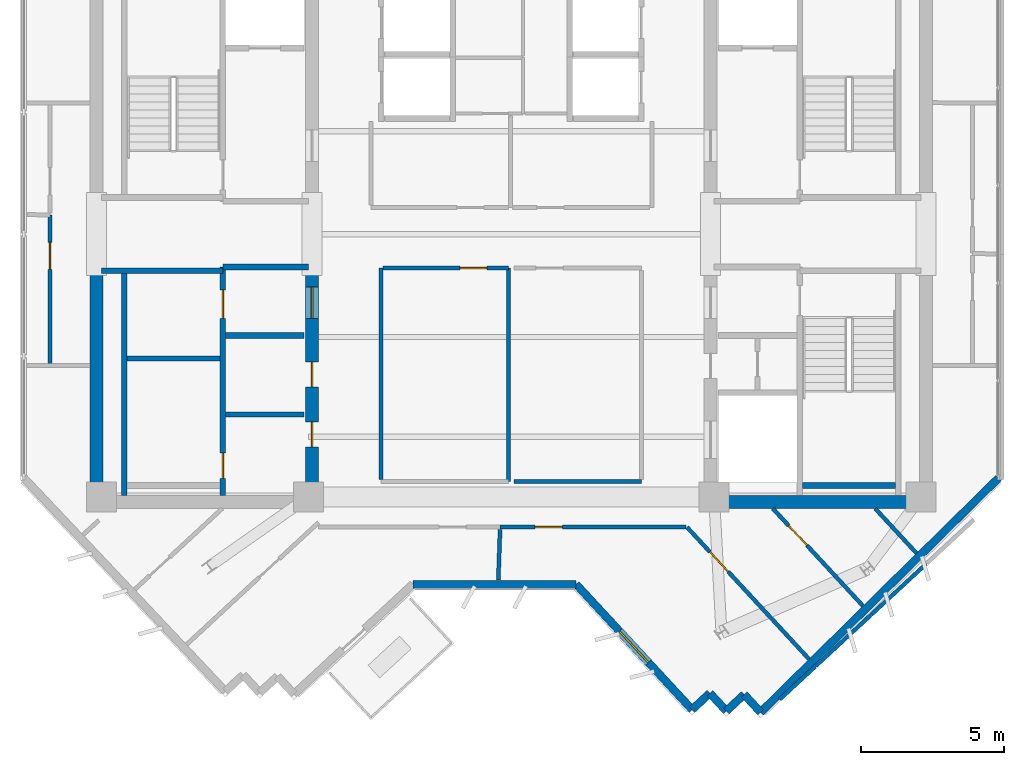
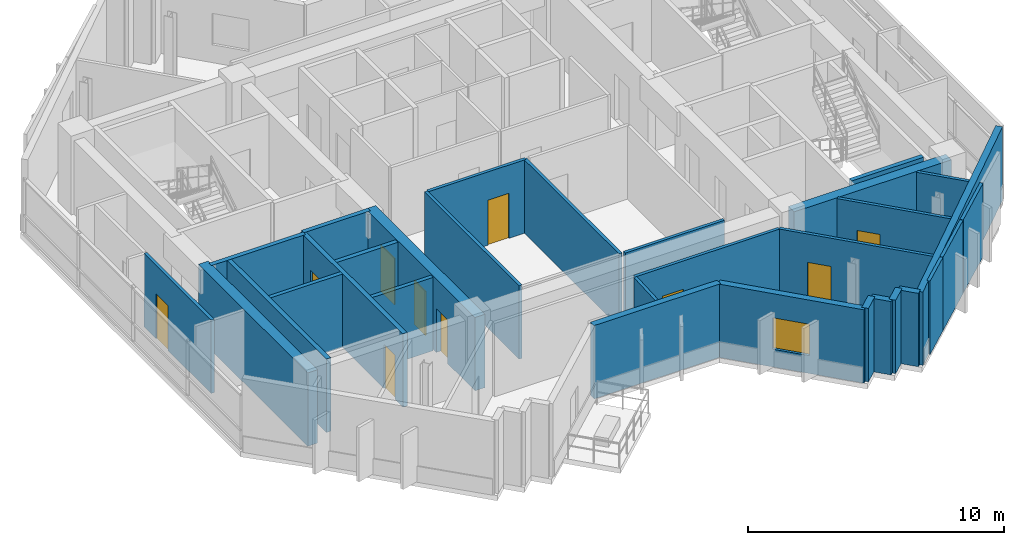
# One storey, part 4 of 9: 31 walls, 10 doors, 1 window, 11 openings.
"""IFC4 building model written with IfcOpenShell, lengths in metres."""

from ifc_helpers import new_model, si_unit, direction, frame, frame_2d, origin, place, context, subcontext, project, spatial, rectangle, extrude, source, transform, mapped, material, layer, layer_set, type_object, element, fill, save


model = new_model("IFC4")

# Units and contexts
model_context = context("Model", 3, precision=1e-05, world=origin(), true_north=direction((0.0, 1.0)))
body_context = subcontext(model_context, "Body", "Model", "MODEL_VIEW")
ifc_project = project(units=[si_unit("LENGTHUNIT", "METRE"), si_unit("AREAUNIT", "SQUARE_METRE"), si_unit("VOLUMEUNIT", "CUBIC_METRE"), si_unit("PLANEANGLEUNIT", "RADIAN"), si_unit("MASSUNIT", "GRAM", prefix="KILO")], contexts=[model_context])

# Site, building, storey
site_placement = place(None, origin())
site = spatial("IfcSite", under=ifc_project, at=site_placement, CompositionType="ELEMENT")
building_placement = place(site_placement, origin())
building = spatial("IfcBuilding", under=site, at=building_placement, Name="Zahravan Cultural Tower", CompositionType="ELEMENT")
storey_placement = place(building_placement, frame((0.0, 0.0, 291.60009765625)))
storey = spatial("IfcBuildingStorey", under=building, at=storey_placement, Name="L70", CompositionType="ELEMENT", Elevation=291.60009765625)

# Wall, openings, doors
ifc_material_1 = material(Name="Concrete C50/60", Category="concrete")
ifc_layer_1 = layer(ifc_material_1, 0.449951171875)
ifc_layer_set_1 = layer_set([ifc_layer_1], Name="Concrete C50/60")
wall_type_1 = type_object("IfcWallType", Name="CW-SHEAR-450-C50", PredefinedType="SHEAR", material=ifc_layer_set_1)
wall_1_placement = place(storey_placement, frame((29.02490234375, 17.39990234375, 0.0), z_axis=(0.0, 0.0, 1.0), x_axis=(0.0, 1.0, 0.0)))
wall_1 = element("IfcWall", 1, at=wall_1_placement, inside=storey, type_object=wall_type_1, Name="L70 Core Shear Wall CW-W-ES-L70", PredefinedType="SHEAR", context=body_context, shape_type="SweptSolid", body=[
    extrude(rectangle(XDim=8.550048828125, YDim=0.449951171875, at=frame_2d((4.27490234375, 0.0))), origin(), (0.0, 0.0, 1.0), 3.5),
])
opening_1_placement = place(wall_1_placement, frame((6.64990234375, 0.0, 0.0)))
opening_1 = element("IfcOpeningElement", 2, at=opening_1_placement, cuts=wall_1, Name="Opening D-L70-08", PredefinedType="OPENING", context=body_context, shape_type="SweptSolid", body=[
    extrude(rectangle(XDim=1.10009765625, YDim=2.199951171875, at=frame_2d((0.550048828125, 1.10009765625))), frame((0.0, 0.23486328125, 0.0), z_axis=(0.0, -1.0, 0.0), x_axis=(1.0, 0.0, 0.0)), (0.0, 0.0, 1.0), 0.469970703125),
])
opening_2_placement = place(wall_1_placement, frame((2.14990234375, 0.0, 0.0)))
opening_2 = element("IfcOpeningElement", 3, at=opening_2_placement, cuts=wall_1, Name="Opening D-L70-10", PredefinedType="OPENING", context=body_context, shape_type="SweptSolid", body=[
    extrude(rectangle(XDim=0.8798828125, YDim=2.10009765625, at=frame_2d((0.43994140625, 1.050048828125))), frame((0.0, 0.23486328125, 0.0), z_axis=(0.0, -1.0, 0.0), x_axis=(1.0, 0.0, 0.0)), (0.0, 0.0, 1.0), 0.469970703125),
])
opening_3_placement = place(wall_1_placement, frame((4.25, 0.0, 0.0)))
opening_3 = element("IfcOpeningElement", 4, at=opening_3_placement, cuts=wall_1, Name="Opening D-L70-11", PredefinedType="OPENING", context=body_context, shape_type="SweptSolid", body=[
    extrude(rectangle(XDim=0.8798828125, YDim=2.10009765625, at=frame_2d((0.43994140625, 1.050048828125))), frame((0.0, 0.23486328125, 0.0), z_axis=(0.0, -1.0, 0.0), x_axis=(1.0, 0.0, 0.0)), (0.0, 0.0, 1.0), 0.469970703125),
])
ifc_material_2 = material(Name="Steel ASTM A572 Grade 50", Category="steel")
door_type_1 = type_object("IfcDoorType", Name="DR-LOBBY-1100", OperationType="NOTDEFINED", PredefinedType="DOOR", material=ifc_material_2)
shared_shape_1 = source(origin(), body_context, "Body", "SweptSolid", [
    extrude(rectangle(XDim=1.10009765625, YDim=2.199951171875, at=frame_2d((0.550048828125, 1.10009765625))), frame((0.0, 0.02490234375, 0.0), z_axis=(0.0, -1.0, 0.0), x_axis=(1.0, 0.0, 0.0)), (0.0, 0.0, 1.0), 0.050048828125),
])
door_1_placement = place(opening_1_placement, origin())
door_1 = element("IfcDoor", 5, at=door_1_placement, inside=storey, type_object=door_type_1, Name="L70 Door D-L70-08", OperationType="SINGLE_SWING_LEFT", OverallHeight=2.199951171875, OverallWidth=1.10009765625, PredefinedType="DOOR", context=body_context, shape_type="MappedRepresentation", body=[
    mapped(shared_shape_1, transform((0.0, 0.0, 0.0), x_axis=(1.0, 0.0, 0.0), y_axis=(0.0, 1.0, 0.0), z_axis=(0.0, 0.0, 1.0), scale=1.0)),
])
fill(opening_1, door_1)
door_type_2 = type_object("IfcDoorType", Name="DR-SVC-880", OperationType="NOTDEFINED", PredefinedType="DOOR", material=ifc_material_2)
shared_shape_2 = source(origin(), body_context, "Body", "SweptSolid", [
    extrude(rectangle(XDim=0.8798828125, YDim=2.10009765625, at=frame_2d((0.43994140625, 1.050048828125))), frame((0.0, 0.02490234375, 0.0), z_axis=(0.0, -1.0, 0.0), x_axis=(1.0, 0.0, 0.0)), (0.0, 0.0, 1.0), 0.050048828125),
])
door_2_placement = place(opening_2_placement, origin())
door_2 = element("IfcDoor", 6, at=door_2_placement, inside=storey, type_object=door_type_2, Name="L70 Door D-L70-10", OperationType="SINGLE_SWING_LEFT", OverallHeight=2.10009765625, OverallWidth=0.8798828125, PredefinedType="DOOR", context=body_context, shape_type="MappedRepresentation", body=[
    mapped(shared_shape_2, transform((0.0, 0.0, 0.0), x_axis=(1.0, 0.0, 0.0), y_axis=(0.0, 1.0, 0.0), z_axis=(0.0, 0.0, 1.0), scale=1.0)),
])
fill(opening_2, door_2)
door_3_placement = place(opening_3_placement, origin())
door_3 = element("IfcDoor", 7, at=door_3_placement, inside=storey, type_object=door_type_2, Name="L70 Door D-L70-11", OperationType="SINGLE_SWING_RIGHT", OverallHeight=2.10009765625, OverallWidth=0.8798828125, PredefinedType="DOOR", context=body_context, shape_type="MappedRepresentation", body=[
    mapped(shared_shape_2, transform((0.0, 0.0, 0.0), x_axis=(1.0, 0.0, 0.0), y_axis=(0.0, 1.0, 0.0), z_axis=(0.0, 0.0, 1.0), scale=1.0)),
])
fill(opening_3, door_3)

# Wall, opening, window
ifc_material_3 = material(Name="Precast concrete C40/50", Category="concrete")
ifc_layer_2 = layer(ifc_material_3, 0.280029296875)
ifc_layer_set_2 = layer_set([ifc_layer_2], Name="Precast concrete C40/50")
wall_type_2 = type_object("IfcWallType", Name="EW-TC-280", PredefinedType="SOLIDWALL", material=ifc_layer_set_2)
wall_2_placement = place(storey_placement, frame((42.327880859375, 10.35009765625, 0.0), z_axis=(0.0, 0.0, 1.0), x_axis=(-0.679010627727, 0.734128440693, 0.0)))
wall_2 = element("IfcWall", 8, at=wall_2_placement, inside=storey, type_object=wall_type_2, Name="L70 Exterior Masonry Frame Wall 12", PredefinedType="SOLIDWALL", context=body_context, shape_type="SweptSolid", body=[
    extrude(rectangle(XDim=5.979736328125, YDim=0.280029296875, at=frame_2d((2.98974609375, 0.0))), origin(), (0.0, 0.0, 1.0), 3.5),
])
opening_4_placement = place(wall_2_placement, frame((2.239990234375, 0.0, 0.85009765625)))
opening_4 = element("IfcOpeningElement", 9, at=opening_4_placement, cuts=wall_2, Name="Opening WN-03", PredefinedType="OPENING", context=body_context, shape_type="SweptSolid", body=[
    extrude(rectangle(XDim=1.5, YDim=1.5, at=frame_2d((0.75, 0.75))), frame((0.0, 0.14990234375, 0.0), z_axis=(0.0, -1.0, 0.0), x_axis=(1.0, 0.0, 0.0)), (0.0, 0.0, 1.0), 0.300048828125),
])
ifc_material_4 = material(Name="Low-E solar-control double glazing", Category="glass")
window_type = type_object("IfcWindowType", Name="WN-REC-1500X1500", PartitioningType="SINGLE_PANEL", PredefinedType="WINDOW", material=ifc_material_4)
shared_shape_3 = source(origin(), body_context, "Body", "SweptSolid", [
    extrude(rectangle(XDim=1.5, YDim=1.5, at=frame_2d((0.75, 0.75))), frame((0.0, 0.030029296875, 0.0), z_axis=(0.0, -1.0, 0.0), x_axis=(1.0, 0.0, 0.0)), (0.0, 0.0, 1.0), 0.06005859375),
])
window_placement = place(opening_4_placement, origin())
window = element("IfcWindow", 10, at=window_placement, inside=storey, type_object=window_type, Name="L70 Recessed Solar Window 03", OverallHeight=1.5, OverallWidth=1.5, PartitioningType="SINGLE_PANEL", PredefinedType="WINDOW", context=body_context, shape_type="MappedRepresentation", body=[
    mapped(shared_shape_3, transform((0.0, 0.0, 0.0), x_axis=(1.0, 0.0, 0.0), y_axis=(0.0, 1.0, 0.0), z_axis=(0.0, 0.0, 1.0), scale=1.0)),
])
fill(opening_4, window)

# Wall, opening, door
ifc_material_5 = material(Name="Gypsum plasterboard partition")
ifc_layer_3 = layer(ifc_material_5, 0.139892578125)
ifc_layer_set_3 = layer_set([ifc_layer_3], Name="Gypsum plasterboard partition")
wall_type_3 = type_object("IfcWallType", Name="W-PART-140", PredefinedType="PARTITIONING", material=ifc_layer_set_3)
wall_3_placement = place(storey_placement, frame((48.310546875, 13.98486328125, 0.0), z_axis=(0.0, 0.0, 1.0), x_axis=(-0.679002327249, 0.73413611789, 0.0)))
wall_3 = element("IfcWall", 11, at=wall_3_placement, inside=storey, type_object=wall_type_3, Name="L70 Interior Wall 052", PredefinedType="PARTITIONING", context=body_context, shape_type="SweptSolid", body=[
    extrude(rectangle(XDim=4.64501953125, YDim=0.139892578125, at=frame_2d((2.322509765625, 0.0))), origin(), (0.0, 0.0, 1.0), 3.5),
])
opening_5_placement = place(wall_3_placement, frame((2.882080078125, 0.0, 0.0)))
opening_5 = element("IfcOpeningElement", 12, at=opening_5_placement, cuts=wall_3, Name="Opening D-L70-32", PredefinedType="OPENING", context=body_context, shape_type="SweptSolid", body=[
    extrude(rectangle(XDim=0.949951171875, YDim=2.14990234375, at=frame_2d((0.47509765625, 1.074951171875))), frame((0.0, 0.079833984375, 0.0), z_axis=(0.0, -1.0, 0.0), x_axis=(1.0, 0.0, 0.0)), (0.0, 0.0, 1.0), 0.159912109375),
])
ifc_material_6 = material(Name="Anodised bronze-aluminium mullion", Category="aluminium")
door_type_3 = type_object("IfcDoorType", Name="DR-ROOM-950", OperationType="NOTDEFINED", PredefinedType="DOOR", material=ifc_material_6)
shared_shape_4 = source(origin(), body_context, "Body", "SweptSolid", [
    extrude(rectangle(XDim=0.949951171875, YDim=2.14990234375, at=frame_2d((0.47509765625, 1.074951171875))), frame((0.0, 0.02490234375, 0.0), z_axis=(0.0, -1.0, 0.0), x_axis=(1.0, 0.0, 0.0)), (0.0, 0.0, 1.0), 0.050048828125),
])
door_4_placement = place(opening_5_placement, origin())
door_4 = element("IfcDoor", 13, at=door_4_placement, inside=storey, type_object=door_type_3, Name="L70 Door D-L70-32", OperationType="SINGLE_SWING_LEFT", OverallHeight=2.14990234375, OverallWidth=0.949951171875, PredefinedType="DOOR", context=body_context, shape_type="MappedRepresentation", body=[
    mapped(shared_shape_4, transform((0.0, 0.0, 0.0), x_axis=(1.0, 0.0, 0.0), y_axis=(0.0, 1.0, 0.0), z_axis=(0.0, 0.0, 1.0), scale=1.0)),
])
fill(opening_5, door_4)

wall_4_placement = place(storey_placement, frame((46.42138671875, 12.124755859375, 0.0), z_axis=(0.0, 0.0, 1.0), x_axis=(-0.679016867794, 0.734122669076, 0.0)))
wall_4 = element("IfcWall", 14, at=wall_4_placement, inside=storey, type_object=wall_type_3, Name="L70 Interior Wall 062", PredefinedType="PARTITIONING", context=body_context, shape_type="SweptSolid", body=[
    extrude(rectangle(XDim=6.28662109375, YDim=0.139892578125, at=frame_2d((3.143310546875, 0.0))), origin(), (0.0, 0.0, 1.0), 3.5),
])
opening_6_placement = place(wall_4_placement, frame((4.16259765625, 0.0, 0.0)))
opening_6 = element("IfcOpeningElement", 15, at=opening_6_placement, cuts=wall_4, Name="Opening D-L70-31", PredefinedType="OPENING", context=body_context, shape_type="SweptSolid", body=[
    extrude(rectangle(XDim=0.949951171875, YDim=2.14990234375, at=frame_2d((0.47509765625, 1.074951171875))), frame((0.0, 0.079833984375, 0.0), z_axis=(0.0, -1.0, 0.0), x_axis=(1.0, 0.0, 0.0)), (0.0, 0.0, 1.0), 0.159912109375),
])
door_5_placement = place(opening_6_placement, origin())
door_5 = element("IfcDoor", 16, at=door_5_placement, inside=storey, type_object=door_type_3, Name="L70 Door D-L70-31", OperationType="SINGLE_SWING_RIGHT", OverallHeight=2.14990234375, OverallWidth=0.949951171875, PredefinedType="DOOR", context=body_context, shape_type="MappedRepresentation", body=[
    mapped(shared_shape_4, transform((0.0, 0.0, 0.0), x_axis=(1.0, 0.0, 0.0), y_axis=(0.0, 1.0, 0.0), z_axis=(0.0, 0.0, 1.0), scale=1.0)),
])
fill(opening_6, door_5)

wall_5_placement = place(storey_placement, frame((19.85009765625, 27.662353515625, 0.0), z_axis=(0.0, 0.0, 1.0), x_axis=(0.0, -1.0, 0.0)))
wall_5 = element("IfcWall", 17, at=wall_5_placement, inside=storey, type_object=wall_type_3, Name="L70 Interior Wall 066", PredefinedType="PARTITIONING", context=body_context, shape_type="SweptSolid", body=[
    extrude(rectangle(XDim=5.25634765625, YDim=0.139892578125, at=frame_2d((2.628173828125, 0.0))), origin(), (0.0, 0.0, 1.0), 3.5),
])
opening_7_placement = place(wall_5_placement, frame((0.947509765625, 0.0, 0.0)))
opening_7 = element("IfcOpeningElement", 18, at=opening_7_placement, cuts=wall_5, Name="Opening D-L70-24", PredefinedType="OPENING", context=body_context, shape_type="SweptSolid", body=[
    extrude(rectangle(XDim=0.949951171875, YDim=2.14990234375, at=frame_2d((0.47509765625, 1.074951171875))), frame((0.0, 0.079833984375, 0.0), z_axis=(0.0, -1.0, 0.0), x_axis=(1.0, 0.0, 0.0)), (0.0, 0.0, 1.0), 0.159912109375),
])
door_6_placement = place(opening_7_placement, origin())
door_6 = element("IfcDoor", 19, at=door_6_placement, inside=storey, type_object=door_type_3, Name="L70 Door D-L70-24", OperationType="SINGLE_SWING_LEFT", OverallHeight=2.14990234375, OverallWidth=0.949951171875, PredefinedType="DOOR", context=body_context, shape_type="MappedRepresentation", body=[
    mapped(shared_shape_4, transform((0.0, 0.0, 0.0), x_axis=(1.0, 0.0, 0.0), y_axis=(0.0, 1.0, 0.0), z_axis=(0.0, 0.0, 1.0), scale=1.0)),
])
fill(opening_7, door_6)

wall_6_placement = place(storey_placement, frame((31.514892578125, 25.81005859375, 0.0), z_axis=(0.0, 0.0, 1.0), x_axis=(1.0, 0.0, 0.0)))
wall_6 = element("IfcWall", 20, at=wall_6_placement, inside=storey, type_object=wall_type_3, Name="L70 Interior Wall 083", PredefinedType="PARTITIONING", context=body_context, shape_type="SweptSolid", body=[
    extrude(rectangle(XDim=4.39501953125, YDim=0.139892578125, at=frame_2d((2.197509765625, 0.0))), origin(), (0.0, 0.0, 1.0), 3.5),
])
opening_8_placement = place(wall_6_placement, frame((2.68701171875, 0.0, 0.0)))
opening_8 = element("IfcOpeningElement", 21, at=opening_8_placement, cuts=wall_6, Name="Opening D-L70-14", PredefinedType="OPENING", context=body_context, shape_type="SweptSolid", body=[
    extrude(rectangle(XDim=0.949951171875, YDim=2.14990234375, at=frame_2d((0.47509765625, 1.074951171875))), frame((0.0, 0.079833984375, 0.0), z_axis=(0.0, -1.0, 0.0), x_axis=(1.0, 0.0, 0.0)), (0.0, 0.0, 1.0), 0.159912109375),
])
door_7_placement = place(opening_8_placement, origin())
door_7 = element("IfcDoor", 22, at=door_7_placement, inside=storey, type_object=door_type_3, Name="L70 Door D-L70-14", OperationType="SINGLE_SWING_LEFT", OverallHeight=2.14990234375, OverallWidth=0.949951171875, PredefinedType="DOOR", context=body_context, shape_type="MappedRepresentation", body=[
    mapped(shared_shape_4, transform((0.0, 0.0, 0.0), x_axis=(1.0, 0.0, 0.0), y_axis=(0.0, 1.0, 0.0), z_axis=(0.0, 0.0, 1.0), scale=1.0)),
])
fill(opening_8, door_7)

wall_7_placement = place(storey_placement, frame((35.60986328125, 16.739990234375, 0.0), z_axis=(0.0, 0.0, 1.0), x_axis=(1.0, 0.0, 0.0)))
wall_7 = element("IfcWall", 23, at=wall_7_placement, inside=storey, type_object=wall_type_3, Name="L70 Interior Wall 090", PredefinedType="PARTITIONING", context=body_context, shape_type="SweptSolid", body=[
    extrude(rectangle(XDim=6.515380859375, YDim=0.139892578125, at=frame_2d((3.2578125, 0.0))), origin(), (0.0, 0.0, 1.0), 3.5),
])
opening_9_placement = place(wall_7_placement, frame((1.224365234375, 0.0, 0.0)))
opening_9 = element("IfcOpeningElement", 24, at=opening_9_placement, cuts=wall_7, Name="Opening D-L70-26", PredefinedType="OPENING", context=body_context, shape_type="SweptSolid", body=[
    extrude(rectangle(XDim=0.949951171875, YDim=2.14990234375, at=frame_2d((0.47509765625, 1.074951171875))), frame((0.0, 0.079833984375, 0.0), z_axis=(0.0, -1.0, 0.0), x_axis=(1.0, 0.0, 0.0)), (0.0, 0.0, 1.0), 0.159912109375),
])
door_8_placement = place(opening_9_placement, origin())
door_8 = element("IfcDoor", 25, at=door_8_placement, inside=storey, type_object=door_type_3, Name="L70 Door D-L70-26", OperationType="SINGLE_SWING_LEFT", OverallHeight=2.14990234375, OverallWidth=0.949951171875, PredefinedType="DOOR", context=body_context, shape_type="MappedRepresentation", body=[
    mapped(shared_shape_4, transform((0.0, 0.0, 0.0), x_axis=(1.0, 0.0, 0.0), y_axis=(0.0, 1.0, 0.0), z_axis=(0.0, 0.0, 1.0), scale=1.0)),
])
fill(opening_9, door_8)

# Wall, openings, doors
ifc_material_7 = material(Name="Concrete C45/55", Category="concrete")
ifc_layer_4 = layer(ifc_material_7, 0.199951171875)
ifc_layer_set_4 = layer_set([ifc_layer_4], Name="Concrete C45/55")
wall_type_4 = type_object("IfcWallType", Name="W-SHAFT-200", PredefinedType="SOLIDWALL", material=ifc_layer_set_4)
wall_8_placement = place(storey_placement, frame((25.89990234375, 17.85009765625, 0.0), z_axis=(0.0, 0.0, 1.0), x_axis=(0.0, 1.0, 0.0)))
wall_8 = element("IfcWall", 26, at=wall_8_placement, inside=storey, type_object=wall_type_4, Name="L70 Interior Wall 005", PredefinedType="SOLIDWALL", context=body_context, shape_type="SweptSolid", body=[
    extrude(rectangle(XDim=8.0, YDim=0.199951171875, at=frame_2d((4.0, 0.0))), origin(), (0.0, 0.0, 1.0), 3.5),
])
opening_10_placement = place(wall_8_placement, frame((6.199951171875, 0.0, 0.0)))
opening_10 = element("IfcOpeningElement", 27, at=opening_10_placement, cuts=wall_8, Name="Opening D-L70-04", PredefinedType="OPENING", context=body_context, shape_type="SweptSolid", body=[
    extrude(rectangle(XDim=1.0, YDim=2.14990234375, at=frame_2d((0.5, 1.074951171875))), frame((0.0, 0.10986328125, 0.0), z_axis=(0.0, -1.0, 0.0), x_axis=(1.0, 0.0, 0.0)), (0.0, 0.0, 1.0), 0.219970703125),
])
opening_11_placement = place(wall_8_placement, frame((0.60009765625, 0.0, 0.0)))
opening_11 = element("IfcOpeningElement", 28, at=opening_11_placement, cuts=wall_8, Name="Opening D-L70-05", PredefinedType="OPENING", context=body_context, shape_type="SweptSolid", body=[
    extrude(rectangle(XDim=0.8798828125, YDim=2.10009765625, at=frame_2d((0.43994140625, 1.050048828125))), frame((0.0, 0.10986328125, 0.0), z_axis=(0.0, -1.0, 0.0), x_axis=(1.0, 0.0, 0.0)), (0.0, 0.0, 1.0), 0.219970703125),
])
door_9_placement = place(opening_11_placement, origin())
door_9 = element("IfcDoor", 29, at=door_9_placement, inside=storey, type_object=door_type_2, Name="L70 Door D-L70-05", OperationType="SINGLE_SWING_RIGHT", OverallHeight=2.10009765625, OverallWidth=0.8798828125, PredefinedType="DOOR", context=body_context, shape_type="MappedRepresentation", body=[
    mapped(shared_shape_2, transform((0.0, 0.0, 0.0), x_axis=(1.0, 0.0, 0.0), y_axis=(0.0, 1.0, 0.0), z_axis=(0.0, 0.0, 1.0), scale=1.0)),
])
fill(opening_11, door_9)
door_type_4 = type_object("IfcDoorType", Name="DR-COMP-1000", OperationType="NOTDEFINED", PredefinedType="DOOR", material=ifc_material_2)
shared_shape_5 = source(origin(), body_context, "Body", "SweptSolid", [
    extrude(rectangle(XDim=1.0, YDim=2.14990234375, at=frame_2d((0.5, 1.074951171875))), frame((0.0, 0.02490234375, 0.0), z_axis=(0.0, -1.0, 0.0), x_axis=(1.0, 0.0, 0.0)), (0.0, 0.0, 1.0), 0.050048828125),
])
door_10_placement = place(opening_10_placement, origin())
door_10 = element("IfcDoor", 30, at=door_10_placement, inside=storey, type_object=door_type_4, Name="L70 Door D-L70-04", OperationType="SINGLE_SWING_LEFT", OverallHeight=2.14990234375, OverallWidth=1.0, PredefinedType="DOOR", context=body_context, shape_type="MappedRepresentation", body=[
    mapped(shared_shape_5, transform((0.0, 0.0, 0.0), x_axis=(1.0, 0.0, 0.0), y_axis=(0.0, 1.0, 0.0), z_axis=(0.0, 0.0, 1.0), scale=1.0)),
])
fill(opening_10, door_10)

# Walls
shared_shape_6 = source(origin(), body_context, "Body", "SweptSolid", [
    extrude(rectangle(XDim=8.550048828125, YDim=0.449951171875, at=frame_2d((4.27490234375, 0.0))), origin(), (0.0, 0.0, 1.0), 3.5),
])
wall_9_placement = place(storey_placement, frame((21.47509765625, 17.39990234375, 0.0), z_axis=(0.0, 0.0, 1.0), x_axis=(0.0, 1.0, 0.0)))
element("IfcWall", 31, at=wall_9_placement, inside=storey, type_object=wall_type_1, Name="L70 Core Shear Wall CW-W-WS-L70", PredefinedType="SHEAR", context=body_context, shape_type="MappedRepresentation", body=[
    mapped(shared_shape_6, transform((0.0, 0.0, 0.0), x_axis=(1.0, 0.0, 0.0), y_axis=(0.0, 1.0, 0.0), z_axis=(0.0, 0.0, 1.0), scale=1.0)),
])
shared_shape_7 = source(origin(), body_context, "Body", "SweptSolid", [
    extrude(rectangle(XDim=7.10009765625, YDim=0.449951171875, at=frame_2d((3.550048828125, 0.0))), origin(), (0.0, 0.0, 1.0), 3.5),
])
wall_10_placement = place(storey_placement, frame((43.199951171875, 17.625, 0.0), z_axis=(0.0, 0.0, 1.0), x_axis=(1.0, 0.0, 0.0)))
element("IfcWall", 32, at=wall_10_placement, inside=storey, type_object=wall_type_1, Name="L70 Core Shear Wall CW-E-S-L70", PredefinedType="SHEAR", context=body_context, shape_type="MappedRepresentation", body=[
    mapped(shared_shape_7, transform((0.0, 0.0, 0.0), x_axis=(1.0, 0.0, 0.0), y_axis=(0.0, 1.0, 0.0), z_axis=(0.0, 0.0, 1.0), scale=1.0)),
])
shared_shape_8 = source(origin(), body_context, "Body", "SweptSolid", [
    extrude(rectangle(XDim=0.85009765625, YDim=0.280029296875, at=frame_2d((0.425048828125, 0.0))), origin(), (0.0, 0.0, 1.0), 3.5),
])
for number, where, z_axis, x_axis, name in (
    (33, (44.73046875, 10.25634765625, 0.0), (0.0, 0.0, 1.0), (-0.67899554472, 0.734142390991, 0.0), "L70 Exterior Masonry Frame Wall 08"),
    (34, (44.1533203125, 10.88037109375, 0.0), (0.0, 0.0, 1.0), (-0.733999227766, -0.679150302686, 0.0), "L70 Exterior Masonry Frame Wall 09"),
    (35, (43.529296875, 10.302978515625, 0.0), (0.0, 0.0, 1.0), (-0.679150302686, 0.733999227766, 0.0), "L70 Exterior Masonry Frame Wall 10"),
):
    element("IfcWall", number, at=place(storey_placement, frame(where, z_axis=z_axis, x_axis=x_axis)), inside=storey, type_object=wall_type_2, Name=name, PredefinedType="SOLIDWALL", context=body_context, shape_type="MappedRepresentation", body=[
        mapped(shared_shape_8, transform((0.0, 0.0, 0.0), x_axis=(1.0, 0.0, 0.0), y_axis=(0.0, 1.0, 0.0), z_axis=(0.0, 0.0, 1.0), scale=1.0)),
    ])
shared_shape_9 = source(origin(), body_context, "Body", "SweptSolid", [
    extrude(rectangle(XDim=0.849853515625, YDim=0.280029296875, at=frame_2d((0.4248046875, 0.0))), origin(), (0.0, 0.0, 1.0), 3.5),
])
wall_11_placement = place(storey_placement, frame((42.951904296875, 10.927001953125, 0.0), z_axis=(0.0, 0.0, 1.0), x_axis=(-0.73428557742, -0.678840696183, 0.0)))
element("IfcWall", 36, at=wall_11_placement, inside=storey, type_object=wall_type_2, Name="L70 Exterior Masonry Frame Wall 11", PredefinedType="SOLIDWALL", context=body_context, shape_type="MappedRepresentation", body=[
    mapped(shared_shape_9, transform((0.0, 0.0, 0.0), x_axis=(1.0, 0.0, 0.0), y_axis=(0.0, 1.0, 0.0), z_axis=(0.0, 0.0, 1.0), scale=1.0)),
])
shared_shape_10 = source(origin(), body_context, "Body", "SweptSolid", [
    extrude(rectangle(XDim=11.689697265625, YDim=0.280029296875, at=frame_2d((5.8447265625, 0.0))), origin(), (0.0, 0.0, 1.0), 3.5),
])
wall_12_placement = place(storey_placement, frame((53.06005859375, 18.4580078125, 0.0), z_axis=(0.0, 0.0, 1.0), x_axis=(-0.712557502542, -0.701613715353, 0.0)))
element("IfcWall", 37, at=wall_12_placement, inside=storey, type_object=wall_type_2, Name="L70 Exterior Masonry Frame Wall 07", PredefinedType="SOLIDWALL", context=body_context, shape_type="MappedRepresentation", body=[
    mapped(shared_shape_10, transform((0.0, 0.0, 0.0), x_axis=(1.0, 0.0, 0.0), y_axis=(0.0, 1.0, 0.0), z_axis=(0.0, 0.0, 1.0), scale=1.0)),
])
shared_shape_11 = source(origin(), body_context, "Body", "SweptSolid", [
    extrude(rectangle(XDim=5.71435546875, YDim=0.280029296875, at=frame_2d((2.857177734375, 0.0))), origin(), (0.0, 0.0, 1.0), 3.5),
])
wall_13_placement = place(storey_placement, frame((38.267578125, 14.739990234375, 0.0), z_axis=(0.0, 0.0, 1.0), x_axis=(-1.0, 0.0, 0.0)))
element("IfcWall", 38, at=wall_13_placement, inside=storey, type_object=wall_type_2, Name="L70 Exterior Masonry Frame Wall 13", PredefinedType="SOLIDWALL", context=body_context, shape_type="MappedRepresentation", body=[
    mapped(shared_shape_11, transform((0.0, 0.0, 0.0), x_axis=(1.0, 0.0, 0.0), y_axis=(0.0, 1.0, 0.0), z_axis=(0.0, 0.0, 1.0), scale=1.0)),
])
shared_shape_12 = source(origin(), body_context, "Body", "SweptSolid", [
    extrude(rectangle(XDim=7.869873046875, YDim=0.199951171875, at=frame_2d((3.93505859375, 0.0))), origin(), (0.0, 0.0, 1.0), 3.5),
])
wall_14_placement = place(storey_placement, frame((22.449951171875, 17.85009765625, 0.0), z_axis=(0.0, 0.0, 1.0), x_axis=(0.0, 1.0, 0.0)))
element("IfcWall", 39, at=wall_14_placement, inside=storey, type_object=wall_type_4, Name="L70 Interior Wall 001", PredefinedType="SOLIDWALL", context=body_context, shape_type="MappedRepresentation", body=[
    mapped(shared_shape_12, transform((0.0, 0.0, 0.0), x_axis=(1.0, 0.0, 0.0), y_axis=(0.0, 1.0, 0.0), z_axis=(0.0, 0.0, 1.0), scale=1.0)),
])
shared_shape_13 = source(origin(), body_context, "Body", "SweptSolid", [
    extrude(rectangle(XDim=4.25, YDim=0.199951171875, at=frame_2d((2.125, 0.0))), origin(), (0.0, 0.0, 1.0), 3.5),
])
wall_15_placement = place(storey_placement, frame((21.64990234375, 25.715087890625, 0.0), z_axis=(0.0, 0.0, 1.0), x_axis=(1.0, 0.0, 0.0)))
element("IfcWall", 40, at=wall_15_placement, inside=storey, type_object=wall_type_4, Name="L70 Interior Wall 009", PredefinedType="SOLIDWALL", context=body_context, shape_type="MappedRepresentation", body=[
    mapped(shared_shape_13, transform((0.0, 0.0, 0.0), x_axis=(1.0, 0.0, 0.0), y_axis=(0.0, 1.0, 0.0), z_axis=(0.0, 0.0, 1.0), scale=1.0)),
])
shared_shape_14 = source(origin(), body_context, "Body", "SweptSolid", [
    extrude(rectangle(XDim=3.0, YDim=0.199951171875, at=frame_2d((1.5, 0.0))), origin(), (0.0, 0.0, 1.0), 3.5),
])
wall_16_placement = place(storey_placement, frame((25.89990234375, 25.85009765625, 0.0), z_axis=(0.0, 0.0, 1.0), x_axis=(1.0, 0.0, 0.0)))
element("IfcWall", 41, at=wall_16_placement, inside=storey, type_object=wall_type_4, Name="L70 Interior Wall 010", PredefinedType="SOLIDWALL", context=body_context, shape_type="MappedRepresentation", body=[
    mapped(shared_shape_14, transform((0.0, 0.0, 0.0), x_axis=(1.0, 0.0, 0.0), y_axis=(0.0, 1.0, 0.0), z_axis=(0.0, 0.0, 1.0), scale=1.0)),
])
shared_shape_15 = source(origin(), body_context, "Body", "SweptSolid", [
    extrude(rectangle(XDim=3.25, YDim=0.199951171875, at=frame_2d((1.625, 0.0))), origin(), (0.0, 0.0, 1.0), 3.5),
])
wall_17_placement = place(storey_placement, frame((46.199951171875, 18.199951171875, 0.0), z_axis=(0.0, 0.0, 1.0), x_axis=(1.0, 0.0, 0.0)))
element("IfcWall", 42, at=wall_17_placement, inside=storey, type_object=wall_type_4, Name="L70 Interior Wall 020", PredefinedType="SOLIDWALL", context=body_context, shape_type="MappedRepresentation", body=[
    mapped(shared_shape_15, transform((0.0, 0.0, 0.0), x_axis=(1.0, 0.0, 0.0), y_axis=(0.0, 1.0, 0.0), z_axis=(0.0, 0.0, 1.0), scale=1.0)),
])
ifc_layer_5 = layer(ifc_material_5, 0.179931640625)
ifc_layer_set_5 = layer_set([ifc_layer_5], Name="Gypsum plasterboard partition")
wall_type_5 = type_object("IfcWallType", Name="W-COMP-180", PredefinedType="PARTITIONING", material=ifc_layer_set_5)
shared_shape_16 = source(origin(), body_context, "Body", "SweptSolid", [
    extrude(rectangle(XDim=3.25, YDim=0.179931640625, at=frame_2d((1.625, 0.0))), origin(), (0.0, 0.0, 1.0), 3.5),
])
wall_18_placement = place(storey_placement, frame((22.550048828125, 22.64990234375, 0.0), z_axis=(0.0, 0.0, 1.0), x_axis=(1.0, 0.0, 0.0)))
element("IfcWall", 43, at=wall_18_placement, inside=storey, type_object=wall_type_5, Name="L70 Interior Wall 021", PredefinedType="PARTITIONING", context=body_context, shape_type="MappedRepresentation", body=[
    mapped(shared_shape_16, transform((0.0, 0.0, 0.0), x_axis=(1.0, 0.0, 0.0), y_axis=(0.0, 1.0, 0.0), z_axis=(0.0, 0.0, 1.0), scale=1.0)),
])
shared_shape_17 = source(origin(), body_context, "Body", "SweptSolid", [
    extrude(rectangle(XDim=2.75, YDim=0.199951171875, at=frame_2d((1.375, 0.0))), origin(), (0.0, 0.0, 1.0), 3.5),
])
wall_19_placement = place(storey_placement, frame((26.0, 23.449951171875, 0.0), z_axis=(0.0, 0.0, 1.0), x_axis=(1.0, 0.0, 0.0)))
element("IfcWall", 44, at=wall_19_placement, inside=storey, type_object=wall_type_4, Name="L70 Interior Wall 024", PredefinedType="SOLIDWALL", context=body_context, shape_type="MappedRepresentation", body=[
    mapped(shared_shape_17, transform((0.0, 0.0, 0.0), x_axis=(1.0, 0.0, 0.0), y_axis=(0.0, 1.0, 0.0), z_axis=(0.0, 0.0, 1.0), scale=1.0)),
])
shared_shape_18 = source(origin(), body_context, "Body", "SweptSolid", [
    extrude(rectangle(XDim=2.75, YDim=0.179931640625, at=frame_2d((1.375, 0.0))), origin(), (0.0, 0.0, 1.0), 3.5),
])
wall_20_placement = place(storey_placement, frame((26.0, 20.679931640625, 0.0), z_axis=(0.0, 0.0, 1.0), x_axis=(1.0, 0.0, 0.0)))
element("IfcWall", 45, at=wall_20_placement, inside=storey, type_object=wall_type_5, Name="L70 Interior Wall 027", PredefinedType="PARTITIONING", context=body_context, shape_type="MappedRepresentation", body=[
    mapped(shared_shape_18, transform((0.0, 0.0, 0.0), x_axis=(1.0, 0.0, 0.0), y_axis=(0.0, 1.0, 0.0), z_axis=(0.0, 0.0, 1.0), scale=1.0)),
])
shared_shape_19 = source(origin(), body_context, "Body", "SweptSolid", [
    extrude(rectangle(XDim=7.39501953125, YDim=0.139892578125, at=frame_2d((3.697509765625, 0.0))), origin(), (0.0, 0.0, 1.0), 3.5),
])
wall_21_placement = place(storey_placement, frame((31.43994140625, 18.4150390625, 0.0), z_axis=(0.0, 0.0, 1.0), x_axis=(0.0, 1.0, 0.0)))
element("IfcWall", 46, at=wall_21_placement, inside=storey, type_object=wall_type_3, Name="L70 Interior Wall 082", PredefinedType="PARTITIONING", context=body_context, shape_type="MappedRepresentation", body=[
    mapped(shared_shape_19, transform((0.0, 0.0, 0.0), x_axis=(1.0, 0.0, 0.0), y_axis=(0.0, 1.0, 0.0), z_axis=(0.0, 0.0, 1.0), scale=1.0)),
])
shared_shape_20 = source(origin(), body_context, "Body", "SweptSolid", [
    extrude(rectangle(XDim=4.469970703125, YDim=0.139892578125, at=frame_2d((2.23486328125, 0.0))), origin(), (0.0, 0.0, 1.0), 3.5),
])
wall_22_placement = place(storey_placement, frame((40.56005859375, 18.340087890625, 0.0), z_axis=(0.0, 0.0, 1.0), x_axis=(-1.0, 0.0, 0.0)))
element("IfcWall", 47, at=wall_22_placement, inside=storey, type_object=wall_type_3, Name="L70 Interior Wall 085", PredefinedType="PARTITIONING", context=body_context, shape_type="MappedRepresentation", body=[
    mapped(shared_shape_20, transform((0.0, 0.0, 0.0), x_axis=(1.0, 0.0, 0.0), y_axis=(0.0, 1.0, 0.0), z_axis=(0.0, 0.0, 1.0), scale=1.0)),
])
shared_shape_21 = source(origin(), body_context, "Body", "SweptSolid", [
    extrude(rectangle(XDim=2.130126953125, YDim=0.139892578125, at=frame_2d((1.06494140625, 0.0))), origin(), (0.0, 0.0, 1.0), 3.5),
])
wall_23_placement = place(storey_placement, frame((48.739013671875, 17.39501953125, 0.0), z_axis=(0.0, 0.0, 1.0), x_axis=(0.678946242809, -0.734187986401, 0.0)))
element("IfcWall", 48, at=wall_23_placement, inside=storey, type_object=wall_type_3, Name="L70 Interior Wall 053", PredefinedType="PARTITIONING", context=body_context, shape_type="MappedRepresentation", body=[
    mapped(shared_shape_21, transform((0.0, 0.0, 0.0), x_axis=(1.0, 0.0, 0.0), y_axis=(0.0, 1.0, 0.0), z_axis=(0.0, 0.0, 1.0), scale=1.0)),
])
shared_shape_22 = source(origin(), body_context, "Body", "SweptSolid", [
    extrude(rectangle(XDim=2.6298828125, YDim=0.139892578125, at=frame_2d((1.31494140625, 0.0))), origin(), (0.0, 0.0, 1.0), 3.5),
])
for number, where, z_axis, x_axis, name in (
    (49, (50.53076171875, 15.457763671875, 0.0), (0.0, 0.0, 1.0), (-0.73409481217, -0.679046984196, 0.0), "L70 Interior Wall 054"),
    (50, (48.585205078125, 13.658447265625, 0.0), (0.0, 0.0, 1.0), (-0.73409481217, -0.679046984196, 0.0), "L70 Interior Wall 061"),
):
    element("IfcWall", number, at=place(storey_placement, frame(where, z_axis=z_axis, x_axis=x_axis)), inside=storey, type_object=wall_type_3, Name=name, PredefinedType="PARTITIONING", context=body_context, shape_type="MappedRepresentation", body=[
        mapped(shared_shape_22, transform((0.0, 0.0, 0.0), x_axis=(1.0, 0.0, 0.0), y_axis=(0.0, 1.0, 0.0), z_axis=(0.0, 0.0, 1.0), scale=1.0)),
    ])
shared_shape_23 = source(origin(), body_context, "Body", "SweptSolid", [
    extrude(rectangle(XDim=7.469970703125, YDim=0.139892578125, at=frame_2d((3.73486328125, 0.0))), origin(), (0.0, 0.0, 1.0), 3.5),
])
wall_24_placement = place(storey_placement, frame((35.909912109375, 25.81005859375, 0.0), z_axis=(0.0, 0.0, 1.0), x_axis=(0.0, -1.0, 0.0)))
element("IfcWall", 51, at=wall_24_placement, inside=storey, type_object=wall_type_3, Name="L70 Interior Wall 084", PredefinedType="PARTITIONING", context=body_context, shape_type="MappedRepresentation", body=[
    mapped(shared_shape_23, transform((0.0, 0.0, 0.0), x_axis=(1.0, 0.0, 0.0), y_axis=(0.0, 1.0, 0.0), z_axis=(0.0, 0.0, 1.0), scale=1.0)),
])
shared_shape_24 = source(origin(), body_context, "Body", "SweptSolid", [
    extrude(rectangle(XDim=1.781005859375, YDim=0.139892578125, at=frame_2d((0.890625, 0.0))), origin(), (0.0, 0.0, 1.0), 3.5),
])
wall_25_placement = place(storey_placement, frame((35.607177734375, 16.6650390625, 0.0), z_axis=(0.0, 0.0, 1.0), x_axis=(-0.034268709891, -0.999412655274, 0.0)))
element("IfcWall", 52, at=wall_25_placement, inside=storey, type_object=wall_type_3, Name="L70 Interior Wall 089", PredefinedType="PARTITIONING", context=body_context, shape_type="MappedRepresentation", body=[
    mapped(shared_shape_24, transform((0.0, 0.0, 0.0), x_axis=(1.0, 0.0, 0.0), y_axis=(0.0, 1.0, 0.0), z_axis=(0.0, 0.0, 1.0), scale=1.0)),
])
shared_shape_25 = source(origin(), body_context, "Body", "SweptSolid", [
    extrude(rectangle(XDim=1.692138671875, YDim=0.139892578125, at=frame_2d((0.84619140625, 0.0))), origin(), (0.0, 0.0, 1.0), 3.5),
])
wall_26_placement = place(storey_placement, frame((46.639892578125, 11.85888671875, 0.0), z_axis=(0.0, 0.0, 1.0), x_axis=(-0.734194722112, -0.678938958982, 0.0)))
element("IfcWall", 53, at=wall_26_placement, inside=storey, type_object=wall_type_3, Name="L70 Interior Wall 091", PredefinedType="PARTITIONING", context=body_context, shape_type="MappedRepresentation", body=[
    mapped(shared_shape_25, transform((0.0, 0.0, 0.0), x_axis=(1.0, 0.0, 0.0), y_axis=(0.0, 1.0, 0.0), z_axis=(0.0, 0.0, 1.0), scale=1.0)),
])

save(model, "model.ifc")
